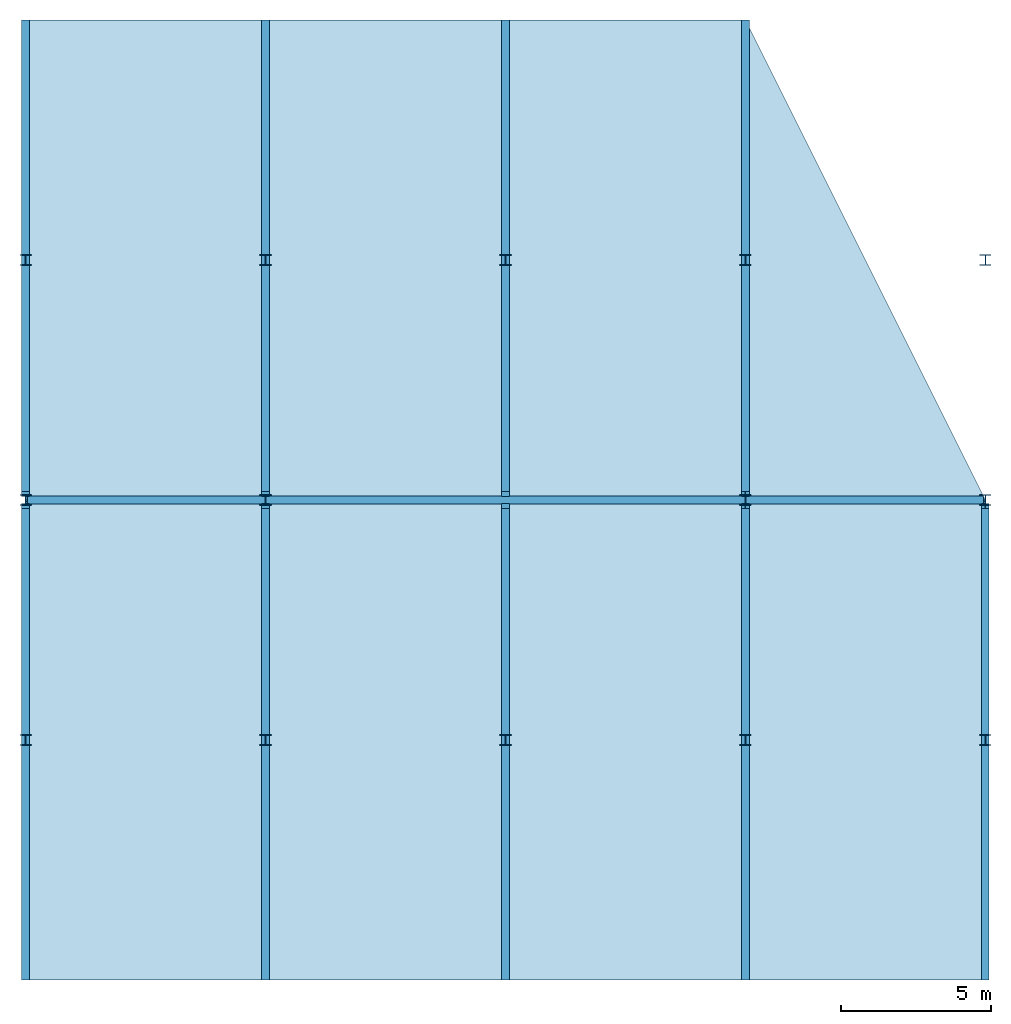
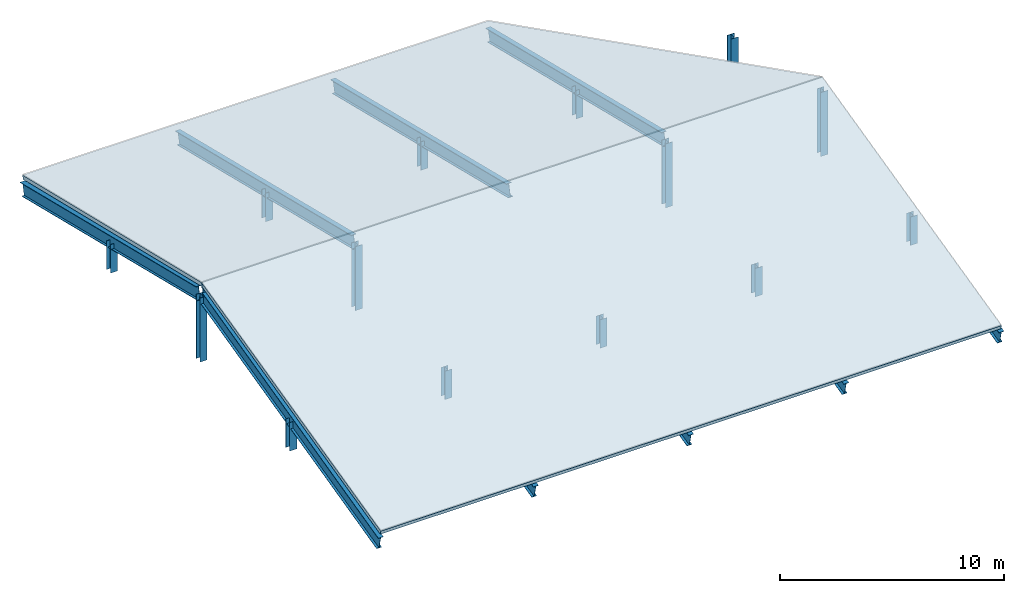
# One storey, part 1 of 2: 14 columns, 10 beams, 2 slabs.
"""IFC4 building model written with IfcOpenShell, lengths in metres."""

from ifc_helpers import new_model, si_unit, direction, frame, origin, origin_2d, place, context, subcontext, project, spatial, polyline, i_section, outline, extrude, material, layer, layer_set, material_profile, profile_set, type_object, element, save


model = new_model("IFC4")

# Units and contexts
model_context = context("Model", 3, precision=1e-05, world=origin(), true_north=direction((0.0, 1.0)))
body_context = subcontext(model_context, "Body", "Model", "MODEL_VIEW")
ifc_project = project(units=[si_unit("LENGTHUNIT", "METRE"), si_unit("AREAUNIT", "SQUARE_METRE"), si_unit("VOLUMEUNIT", "CUBIC_METRE"), si_unit("PLANEANGLEUNIT", "RADIAN"), si_unit("MASSUNIT", "GRAM", prefix="KILO")], contexts=[model_context])

# Site, building, storey
site_placement = place(None, origin())
site = spatial("IfcSite", under=ifc_project, at=site_placement, CompositionType="ELEMENT")
building_placement = place(site_placement, origin())
building = spatial("IfcBuilding", under=site, at=building_placement, Name="Drelvath Fold Interchange", CompositionType="ELEMENT")
storey_placement = place(building_placement, frame((0.0, 0.0, 28.0)))
storey = spatial("IfcBuildingStorey", under=building, at=storey_placement, Name="RF", CompositionType="ELEMENT", Elevation=28.0)

# Columns
ifc_material_1 = material(Name="Steel ASTM A992 Grade 50", Category="steel")
ifc_material_profile_1 = material_profile(ifc_material_1, i_section(OverallWidth=0.368896484375, OverallDepth=0.35595703125, WebThickness=0.01123046875, FlangeThickness=0.01806640625, at=origin_2d()), Name="W14X90")
ifc_profile_set_1 = profile_set([ifc_material_profile_1], Name="Steel ASTM A992 Grade 50")
column_type = type_object("IfcColumnType", Name="COL-W14X90", PredefinedType="COLUMN", material=ifc_profile_set_1)
column_1_placement = place(storey_placement, frame((4.0, 11.0, 0.0), z_axis=(0.0, 0.0, 1.0), x_axis=(1.0, 0.0, 0.0)))
element("IfcColumn", 1, at=column_1_placement, inside=storey, type_object=column_type, Name="RF column (4,11)", PredefinedType="COLUMN", context=body_context, shape_type="SweptSolid", body=[
    extrude(i_section(OverallWidth=0.368896484375, OverallDepth=0.35595703125, WebThickness=0.01123046875, FlangeThickness=0.01806640625, at=origin_2d()), origin(), (0.0, 0.0, 1.0), 1.550048828125),
])
column_2_placement = place(storey_placement, frame((4.0, 19.0, 0.0), z_axis=(0.0, 0.0, 1.0), x_axis=(1.0, 0.0, 0.0)))
element("IfcColumn", 2, at=column_2_placement, inside=storey, type_object=column_type, Name="RF column (4,19)", PredefinedType="COLUMN", context=body_context, shape_type="SweptSolid", body=[
    extrude(i_section(OverallWidth=0.368896484375, OverallDepth=0.35595703125, WebThickness=0.01123046875, FlangeThickness=0.01806640625, at=origin_2d()), origin(), (0.0, 0.0, 1.0), 3.489990234375),
])
for number, where, z_axis, x_axis, name in (
    (3, (4.0, 27.0, 0.0), (0.0, 0.0, 1.0), (1.0, 0.0, 0.0), "RF column (4,27)"),
    (4, (12.0, 11.0, 0.0), (0.0, 0.0, 1.0), (1.0, 0.0, 0.0), "RF column (12,11)"),
):
    element("IfcColumn", number, at=place(storey_placement, frame(where, z_axis=z_axis, x_axis=x_axis)), inside=storey, type_object=column_type, Name=name, PredefinedType="COLUMN", context=body_context, shape_type="SweptSolid", body=[
        extrude(i_section(OverallWidth=0.368896484375, OverallDepth=0.35595703125, WebThickness=0.01123046875, FlangeThickness=0.01806640625, at=origin_2d()), origin(), (0.0, 0.0, 1.0), 1.550048828125),
    ])
column_3_placement = place(storey_placement, frame((12.0, 19.0, 0.0), z_axis=(0.0, 0.0, 1.0), x_axis=(1.0, 0.0, 0.0)))
element("IfcColumn", 5, at=column_3_placement, inside=storey, type_object=column_type, Name="RF column (12,19)", PredefinedType="COLUMN", context=body_context, shape_type="SweptSolid", body=[
    extrude(i_section(OverallWidth=0.368896484375, OverallDepth=0.35595703125, WebThickness=0.01123046875, FlangeThickness=0.01806640625, at=origin_2d()), origin(), (0.0, 0.0, 1.0), 3.489990234375),
])
for number, where, z_axis, x_axis, name in (
    (6, (12.0, 27.0, 0.0), (0.0, 0.0, 1.0), (1.0, 0.0, 0.0), "RF column (12,27)"),
    (7, (20.0, 11.0, 0.0), (0.0, 0.0, 1.0), (1.0, 0.0, 0.0), "RF column (20,11)"),
    (8, (20.0, 27.0, 0.0), (0.0, 0.0, 1.0), (1.0, 0.0, 0.0), "RF column (20,27)"),
    (9, (28.0, 11.0, 0.0), (0.0, 0.0, 1.0), (1.0, 0.0, 0.0), "RF column (28,11)"),
):
    element("IfcColumn", number, at=place(storey_placement, frame(where, z_axis=z_axis, x_axis=x_axis)), inside=storey, type_object=column_type, Name=name, PredefinedType="COLUMN", context=body_context, shape_type="SweptSolid", body=[
        extrude(i_section(OverallWidth=0.368896484375, OverallDepth=0.35595703125, WebThickness=0.01123046875, FlangeThickness=0.01806640625, at=origin_2d()), origin(), (0.0, 0.0, 1.0), 1.550048828125),
    ])
column_4_placement = place(storey_placement, frame((28.0, 19.0, 0.0), z_axis=(0.0, 0.0, 1.0), x_axis=(1.0, 0.0, 0.0)))
element("IfcColumn", 10, at=column_4_placement, inside=storey, type_object=column_type, Name="RF column (28,19)", PredefinedType="COLUMN", context=body_context, shape_type="SweptSolid", body=[
    extrude(i_section(OverallWidth=0.368896484375, OverallDepth=0.35595703125, WebThickness=0.01123046875, FlangeThickness=0.01806640625, at=origin_2d()), origin(), (0.0, 0.0, 1.0), 3.489990234375),
])
for number, where, z_axis, x_axis, name in (
    (11, (28.0, 27.0, 0.0), (0.0, 0.0, 1.0), (1.0, 0.0, 0.0), "RF column (28,27)"),
    (12, (36.0, 11.0, 0.0), (0.0, 0.0, 1.0), (1.0, 0.0, 0.0), "RF column (36,11)"),
):
    element("IfcColumn", number, at=place(storey_placement, frame(where, z_axis=z_axis, x_axis=x_axis)), inside=storey, type_object=column_type, Name=name, PredefinedType="COLUMN", context=body_context, shape_type="SweptSolid", body=[
        extrude(i_section(OverallWidth=0.368896484375, OverallDepth=0.35595703125, WebThickness=0.01123046875, FlangeThickness=0.01806640625, at=origin_2d()), origin(), (0.0, 0.0, 1.0), 1.550048828125),
    ])
column_5_placement = place(storey_placement, frame((36.0, 19.0, 0.0), z_axis=(0.0, 0.0, 1.0), x_axis=(1.0, 0.0, 0.0)))
element("IfcColumn", 13, at=column_5_placement, inside=storey, type_object=column_type, Name="RF column (36,19)", PredefinedType="COLUMN", context=body_context, shape_type="SweptSolid", body=[
    extrude(i_section(OverallWidth=0.368896484375, OverallDepth=0.35595703125, WebThickness=0.01123046875, FlangeThickness=0.01806640625, at=origin_2d()), origin(), (0.0, 0.0, 1.0), 3.489990234375),
])
column_6_placement = place(storey_placement, frame((36.0, 27.0, 0.0), z_axis=(0.0, 0.0, 1.0), x_axis=(1.0, 0.0, 0.0)))
element("IfcColumn", 14, at=column_6_placement, inside=storey, type_object=column_type, Name="RF column (36,27)", PredefinedType="COLUMN", context=body_context, shape_type="SweptSolid", body=[
    extrude(i_section(OverallWidth=0.368896484375, OverallDepth=0.35595703125, WebThickness=0.01123046875, FlangeThickness=0.01806640625, at=origin_2d()), origin(), (0.0, 0.0, 1.0), 1.550048828125),
])

# Beams
ifc_material_profile_2 = material_profile(ifc_material_1, i_section(OverallWidth=0.256103515625, OverallDepth=0.693115234375, WebThickness=0.014404296875, FlangeThickness=0.023681640625, at=origin_2d()), Name="W27X114")
ifc_profile_set_2 = profile_set([ifc_material_profile_2], Name="Steel ASTM A992 Grade 50")
beam_type_1 = type_object("IfcBeamType", Name="BM-W27X114", PredefinedType="BEAM", material=ifc_profile_set_2)
for number, where, z_axis, x_axis, name in (
    (15, (4.0, 3.080078125, -0.360107421875), (0.0, 0.971435650804, 0.237303131769), (-1.0, 0.0, 0.0), "Crown roof south rafter"),
    (16, (4.0, 19.199951171875, 3.47998046875), (0.0, 0.971435650804, -0.237303131769), (-1.0, 0.0, 0.0), "Crown roof north rafter"),
    (17, (12.0, 3.080078125, -0.360107421875), (0.0, 0.971435650804, 0.237303131769), (-1.0, 0.0, 0.0), "Crown roof south rafter"),
    (18, (12.0, 19.199951171875, 3.47998046875), (0.0, 0.971435650804, -0.237303131769), (-1.0, 0.0, 0.0), "Crown roof north rafter"),
    (19, (20.0, 3.080078125, -0.360107421875), (0.0, 0.971435650804, 0.237303131769), (-1.0, 0.0, 0.0), "Crown roof south rafter"),
    (20, (20.0, 19.199951171875, 3.47998046875), (0.0, 0.971435650804, -0.237303131769), (-1.0, 0.0, 0.0), "Crown roof north rafter"),
    (21, (28.0, 3.080078125, -0.360107421875), (0.0, 0.971435650804, 0.237303131769), (-1.0, 0.0, 0.0), "Crown roof south rafter"),
    (22, (28.0, 19.199951171875, 3.47998046875), (0.0, 0.971435650804, -0.237303131769), (-1.0, 0.0, 0.0), "Crown roof north rafter"),
    (23, (36.0, 3.080078125, -0.360107421875), (0.0, 0.971435650804, 0.237303131769), (-1.0, 0.0, 0.0), "Crown roof south rafter"),
):
    element("IfcBeam", number, at=place(storey_placement, frame(where, z_axis=z_axis, x_axis=x_axis)), inside=storey, type_object=beam_type_1, Name=name, PredefinedType="BEAM", context=body_context, shape_type="SweptSolid", body=[
        extrude(i_section(OverallWidth=0.256103515625, OverallDepth=0.693115234375, WebThickness=0.014404296875, FlangeThickness=0.023681640625, at=origin_2d()), origin(), (0.0, 0.0, 1.0), 16.18212890625),
    ])
ifc_material_profile_3 = material_profile(ifc_material_1, i_section(OverallWidth=0.26611328125, OverallDepth=0.779052734375, WebThickness=0.0166015625, FlangeThickness=0.030029296875, at=origin_2d()), Name="W30X148")
ifc_profile_set_3 = profile_set([ifc_material_profile_3], Name="Steel ASTM A992 Grade 50")
beam_type_2 = type_object("IfcBeamType", Name="BM-W30X148", PredefinedType="BEAM", material=ifc_profile_set_3)
beam_placement = place(storey_placement, frame((4.06005859375, 19.0, 3.429931640625), z_axis=(1.0, 0.0, 0.0), x_axis=(0.0, 1.0, 0.0)))
element("IfcBeam", 24, at=beam_placement, inside=storey, type_object=beam_type_2, Name="RF Crown ridge girder BM-W30X148", PredefinedType="BEAM", context=body_context, shape_type="SweptSolid", body=[
    extrude(i_section(OverallWidth=0.26611328125, OverallDepth=0.779052734375, WebThickness=0.0166015625, FlangeThickness=0.030029296875, at=origin_2d()), origin(), (0.0, 0.0, 1.0), 31.8798828125),
])

# Slabs
ifc_material_2 = material(Name="Concrete f'c 35 MPa (5000 psi)", Category="concrete")
ifc_layer = layer(ifc_material_2, 0.205078125, Name="Concrete f'c 35 MPa (5000 psi)")
ifc_layer_set = layer_set([ifc_layer], Name="Concrete f'c 35 MPa (5000 psi)")
slab_type = type_object("IfcSlabType", Name="RF-CR1", PredefinedType="ROOF", material=ifc_layer_set)
slab_1_placement = place(storey_placement, frame((4.0, 3.0, 0.320068359375), z_axis=(0.0, -0.233420090307, 0.972375987692), x_axis=(1.0, 0.0, 0.0)))
element("IfcSlab", 25, at=slab_1_placement, inside=storey, type_object=slab_type, Name="Crown south sloped roof RF", PredefinedType="ROOF", context=body_context, shape_type="SweptSolid", body=[
    extrude(outline(polyline([(0.0, 0.0), (32.0, 0.0), (32.0, 16.454540427277593), (0.0, 16.454540427277593), (0.0, 0.0)])), origin(), (0.0, 0.0, -1.0), 0.205078125),
])
slab_2_placement = place(storey_placement, frame((4.0, 19.0, 4.160888671875), z_axis=(0.0, 0.233420090307, 0.972375987692), x_axis=(1.0, 0.0, 0.0)))
element("IfcSlab", 26, at=slab_2_placement, inside=storey, type_object=slab_type, Name="Crown north sloped roof RF", PredefinedType="ROOF", context=body_context, shape_type="SweptSolid", body=[
    extrude(outline(polyline([(0.0, 0.0), (32.0, 0.0), (24.0, 16.454540427277593), (0.0, 16.454540427277593), (0.0, 0.0)])), origin(), (0.0, 0.0, -1.0), 0.205078125),
])

save(model, "model.ifc")
